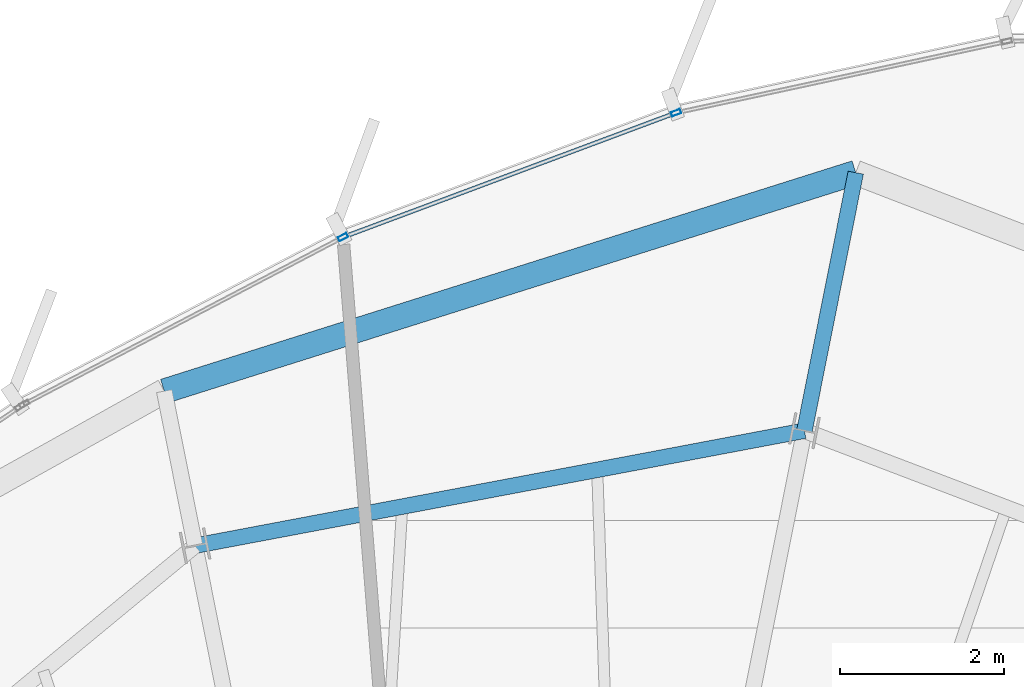
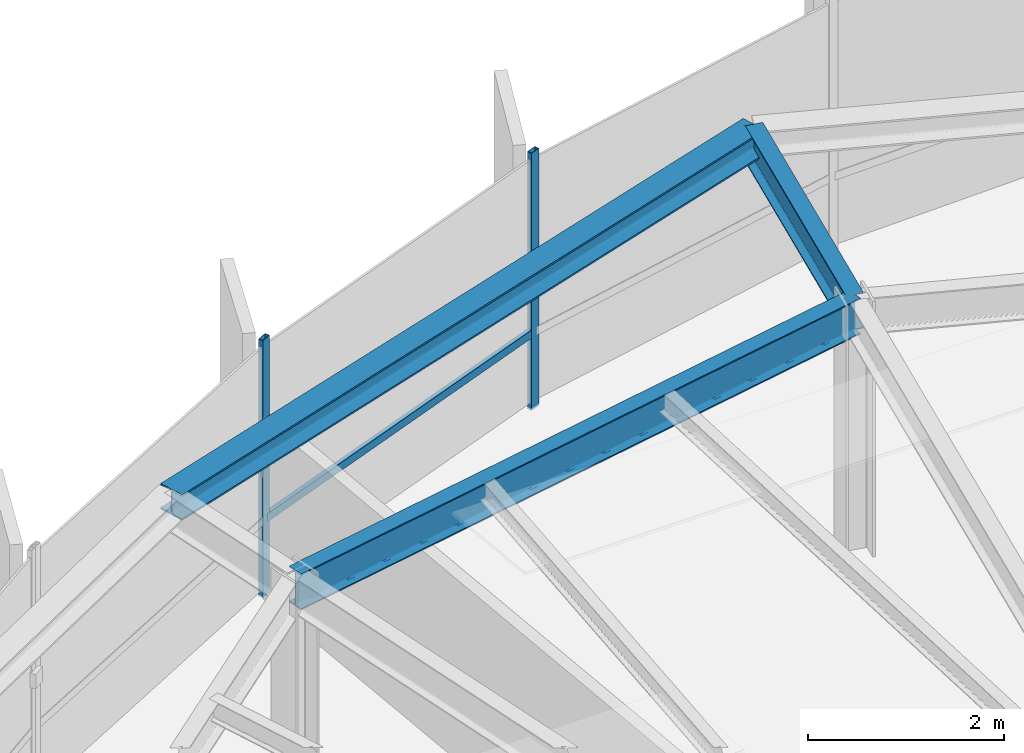
# One storey, part 23 of 35: 3 beams, 3 members, 1 element without a shape of its own.
"""IFC4 building model written with IfcOpenShell, lengths in metres."""

from ifc_helpers import new_model, si_unit, direction, frame, origin, origin_2d, place, context, subcontext, project, spatial, hollow_rectangle, i_section, extrude, source, transform, mapped, material, layer, layer_set, material_profile, profile_set, type_object, element, aggregate, save


model = new_model("IFC4")

# Units and contexts
model_context = context("Model", 3, precision=1e-05, world=origin(), true_north=direction((0.0, 1.0)))
body_context = subcontext(model_context, "Body", "Model", "MODEL_VIEW")
ifc_project = project(units=[si_unit("LENGTHUNIT", "METRE"), si_unit("AREAUNIT", "SQUARE_METRE"), si_unit("VOLUMEUNIT", "CUBIC_METRE"), si_unit("PLANEANGLEUNIT", "RADIAN"), si_unit("MASSUNIT", "GRAM", prefix="KILO"), si_unit("THERMODYNAMICTEMPERATUREUNIT", "KELVIN")], contexts=[model_context])

# Site, building, storey
site_placement = place(None, origin())
site = spatial("IfcSite", under=ifc_project, at=site_placement, CompositionType="ELEMENT")
building_placement = place(site_placement, origin())
building = spatial("IfcBuilding", under=site, at=building_placement, Name="Kethvar Cultural Tower", CompositionType="ELEMENT")
storey_placement = place(building_placement, frame((0.0, 0.0, 249.10009765625)))
storey = spatial("IfcBuildingStorey", under=building, at=storey_placement, Name="L65", CompositionType="ELEMENT", Elevation=249.10009765625)

# Beams
ifc_material_1 = material(Name="Steel S355J2", Category="steel")
ifc_material_profile_1 = material_profile(ifc_material_1, i_section(OverallWidth=0.18994140625, OverallDepth=0.449951171875, WebThickness=0.009521484375, FlangeThickness=0.0146484375, FilletRadius=0.02099609375, at=origin_2d()), Name="Steel S355J2 — IPE450")
ifc_profile_set_1 = profile_set([ifc_material_profile_1], Name="Steel S355J2 — IPE450")
beam_type_1 = type_object("IfcBeamType", Name="BM-IPE450", PredefinedType="BEAM", material=ifc_profile_set_1)
shared_shape_1 = source(origin(), body_context, "Body", "SweptSolid", [
    extrude(i_section(OverallWidth=0.18994140625, OverallDepth=0.449951171875, WebThickness=0.009521484375, FlangeThickness=0.0146484375, FilletRadius=0.02099609375, at=origin_2d()), origin(), (0.0, 0.0, 1.0), 3.199951171875),
])
beam_1_placement = place(storey_placement, frame((50.645263671875, 47.131591796875, 2.98291015625), z_axis=(0.195088965533, 0.980785550224, 0.0), x_axis=(-0.980785550224, 0.195088965533, 0.0)))
element("IfcBeam", 1, at=beam_1_placement, inside=storey, type_object=beam_type_1, Name="L65 Perimeter Cantilever Beam RC-04", PredefinedType="BEAM", context=body_context, shape_type="MappedRepresentation", body=[
    mapped(shared_shape_1, transform((0.0, 0.0, 0.0), scale=1.0)),
])
shared_shape_2 = source(origin(), body_context, "Body", "SweptSolid", [
    extrude(i_section(OverallWidth=0.18994140625, OverallDepth=0.449951171875, WebThickness=0.009521484375, FlangeThickness=0.0146484375, FilletRadius=0.02099609375, at=origin_2d()), origin(), (0.0, 0.0, 1.0), 7.543212890625),
])
beam_2_placement = place(storey_placement, frame((50.645263671875, 47.131591796875, 2.98291015625), z_axis=(-0.982646853086, -0.185486285532, 0.0), x_axis=(0.185486285532, -0.982646853086, 0.0)))
element("IfcBeam", 2, at=beam_2_placement, inside=storey, type_object=beam_type_1, Name="L65 Column Ring Tie Beam CR-04", PredefinedType="BEAM", context=body_context, shape_type="MappedRepresentation", body=[
    mapped(shared_shape_2, transform((0.0, 0.0, 0.0), scale=1.0)),
])
ifc_material_profile_2 = material_profile(ifc_material_1, i_section(OverallWidth=0.300048828125, OverallDepth=0.320068359375, WebThickness=0.011474609375, FlangeThickness=0.0205078125, FilletRadius=0.027099609375, at=origin_2d()), Name="Steel S355J2 — HEB320")
ifc_profile_set_2 = profile_set([ifc_material_profile_2], Name="Steel S355J2 — HEB320")
beam_type_2 = type_object("IfcBeamType", Name="BM-SP320", PredefinedType="SPANDREL", material=ifc_profile_set_2)
shared_shape_3 = source(origin(), body_context, "Body", "SweptSolid", [
    extrude(i_section(OverallWidth=0.300048828125, OverallDepth=0.320068359375, WebThickness=0.011474609375, FlangeThickness=0.0205078125, FilletRadius=0.027099609375, at=origin_2d()), origin(), (0.0, 0.0, 1.0), 8.8203125),
])
beam_3_placement = place(storey_placement, frame((51.26953125, 50.27001953125, 3.0478515625), z_axis=(-0.953542497662, -0.301258535401, 0.0), x_axis=(0.301258535401, -0.953542497662, 0.0)))
element("IfcBeam", 3, at=beam_3_placement, inside=storey, type_object=beam_type_2, Name="L65 Perimeter Spandrel Beam SP-04", PredefinedType="SPANDREL", context=body_context, shape_type="MappedRepresentation", body=[
    mapped(shared_shape_3, transform((0.0, 0.0, 0.0), scale=1.0)),
])

# Curtain wall, members
ifc_material_2 = material(Name="Aluminium 6063-T6", Category="aluminium")
ifc_layer = layer(ifc_material_2, 0.179931640625, Name="Aluminium 6063-T6", Category="aluminium")
ifc_layer_set = layer_set([ifc_layer], Name="Aluminium 6063-T6 (180 mm)")
curtain_wall_type = type_object("IfcCurtainWallType", Name="CW-SYS-05-Z56", PredefinedType="NOTDEFINED", material=ifc_layer_set)
curtain_wall_placement = place(storey_placement, origin())
curtain_wall = element("IfcCurtainWall", 4, at=curtain_wall_placement, inside=storey, type_object=curtain_wall_type, Name="L65 Curtain Wall Run 01", PredefinedType="NOTDEFINED")
ifc_material_profile_3 = material_profile(ifc_material_2, hollow_rectangle(XDim=0.054931640625, YDim=0.1201171875, WallThickness=0.00390625, at=origin_2d()), Name="Aluminium 6063-T6 — RHS120x55x4")
ifc_profile_set_3 = profile_set([ifc_material_profile_3], Name="Aluminium 6063-T6 — RHS120x55x4")
member_type_1 = type_object("IfcMemberType", Name="CW-SYS-05-Z56-MUL", PredefinedType="MULLION", material=ifc_profile_set_3)
shared_shape_4 = source(origin(), body_context, "Body", "SweptSolid", [
    extrude(hollow_rectangle(XDim=0.054931640625, YDim=0.1201171875, WallThickness=0.00390625, at=origin_2d()), origin(), (0.0, 0.0, 1.0), 3.2099609375),
])
member_1_placement = place(storey_placement, frame((49.083740234375, 50.998779296875, 0.0), z_axis=(0.0, 0.0, 1.0), x_axis=(0.350076593736, -0.936721078293, 0.0)))
member_1 = element("IfcMember", 5, at=member_1_placement, type_object=member_type_1, Name="CW-L65-R01 Mullion 5", PredefinedType="MULLION", context=body_context, shape_type="MappedRepresentation", body=[
    mapped(shared_shape_4, transform((0.0, 0.0, 0.0), scale=1.0)),
])
member_2_placement = place(storey_placement, frame((45.032958984375, 49.48583984375, 0.0), z_axis=(0.0, 0.0, 1.0), x_axis=(0.46399191482, -0.885839434086, 0.0)))
member_2 = element("IfcMember", 6, at=member_2_placement, type_object=member_type_1, Name="CW-L65-R01 Mullion 6", PredefinedType="MULLION", context=body_context, shape_type="MappedRepresentation", body=[
    mapped(shared_shape_4, transform((0.0, 0.0, 0.0), scale=1.0)),
])
ifc_material_profile_4 = material_profile(ifc_material_2, hollow_rectangle(XDim=0.050048828125, YDim=0.10009765625, WallThickness=0.00390625, at=origin_2d()), Name="Aluminium 6063-T6 — RHS100x50x4")
ifc_profile_set_4 = profile_set([ifc_material_profile_4], Name="Aluminium 6063-T6 — RHS100x50x4")
member_type_2 = type_object("IfcMemberType", Name="CW-SYS-05-Z56-TRN", PredefinedType="USERDEFINED", material=ifc_profile_set_4)
shared_shape_5 = source(origin(), body_context, "Body", "SweptSolid", [
    extrude(hollow_rectangle(XDim=0.050048828125, YDim=0.10009765625, WallThickness=0.00390625, at=origin_2d()), origin(), (0.0, 0.0, 1.0), 4.257568359375),
])
member_3_placement = place(storey_placement, frame((49.046630859375, 50.985107421875, 0.949951171875), z_axis=(-0.936717444205, -0.350086317531, 0.0), x_axis=(0.350086317531, -0.936717444205, 0.0)))
member_3 = element("IfcMember", 7, at=member_3_placement, type_object=member_type_2, Name="CW-L65-R01 Transom 5", ObjectType="TRANSOM", PredefinedType="USERDEFINED", context=body_context, shape_type="MappedRepresentation", body=[
    mapped(shared_shape_5, transform((0.0, 0.0, 0.0), scale=1.0)),
])
aggregate(curtain_wall, [member_1, member_2, member_3])

save(model, "model.ifc")
